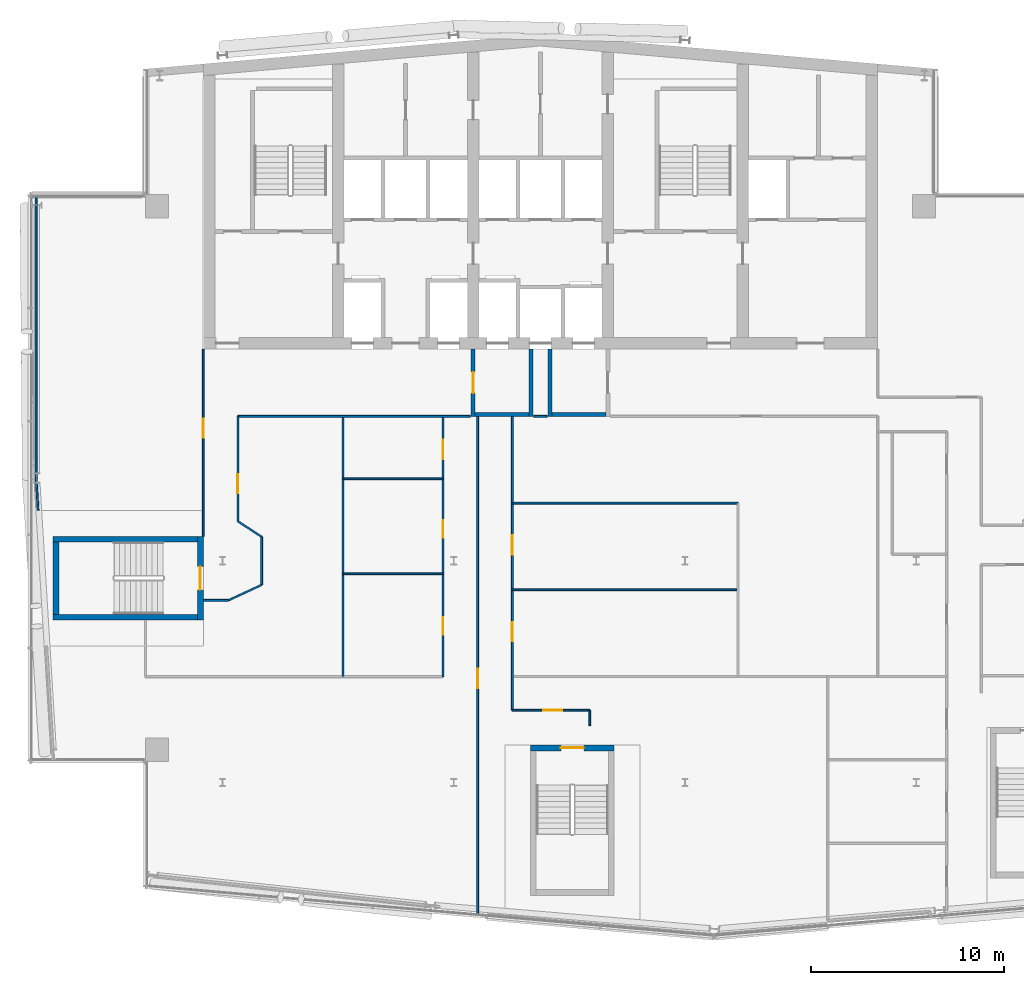
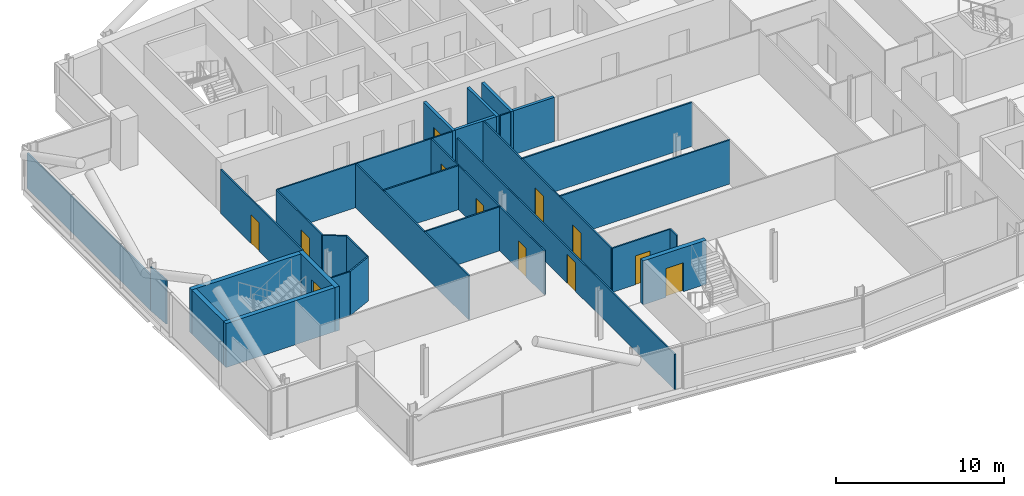
# One storey, part 15 of 25: 30 walls, 12 doors, 12 openings.
"""IFC4 building model written with IfcOpenShell, lengths in metres."""

from ifc_helpers import new_model, si_unit, direction, frame, frame_2d, origin, place, context, subcontext, project, spatial, rectangle, extrude, material, layer, layer_set, type_object, element, fill, save


model = new_model("IFC4")

# Units and contexts
model_context = context("Model", 3, precision=1e-05, world=origin(), true_north=direction((0.0, 1.0)))
body_context = subcontext(model_context, "Body", "Model", "MODEL_VIEW")
ifc_project = project(units=[si_unit("LENGTHUNIT", "METRE"), si_unit("AREAUNIT", "SQUARE_METRE"), si_unit("VOLUMEUNIT", "CUBIC_METRE"), si_unit("PLANEANGLEUNIT", "RADIAN"), si_unit("MASSUNIT", "GRAM", prefix="KILO")], contexts=[model_context])

# Site, building, storey
site_placement = place(None, origin())
site = spatial("IfcSite", under=ifc_project, at=site_placement, CompositionType="ELEMENT")
building_placement = place(site_placement, origin())
building = spatial("IfcBuilding", under=site, at=building_placement, Name="Wharfspan Tower", CompositionType="ELEMENT")
storey_placement = place(building_placement, frame((0.0, 0.0, 225.100098)))
storey = spatial("IfcBuildingStorey", under=building, at=storey_placement, Name="L56", CompositionType="ELEMENT", Elevation=225.100098)

# Wall, opening, door
ifc_material_1 = material(Name="Gypsum board on steel studs", Category="steel")
ifc_layer_1 = layer(ifc_material_1, 0.100098)
ifc_layer_set_1 = layer_set([ifc_layer_1], Name="Gypsum board on steel studs")
wall_type_1 = type_object("IfcWallType", Name="Compartment wall 100 EI 60", PredefinedType="PARTITIONING", material=ifc_layer_set_1)
wall_1_placement = place(storey_placement, frame((23.0, 24.274902, 0.0), z_axis=(0.0, 0.0, 1.0), x_axis=(0.0, 1.0, 0.0)))
wall_1 = element("IfcWall", 1, at=wall_1_placement, inside=storey, type_object=wall_type_1, Name="Partition L56.w007", PredefinedType="PARTITIONING", context=body_context, shape_type="SweptSolid", body=[
    extrude(rectangle(XDim=9.705078, YDim=0.100098, at=frame_2d((4.852539, 0.0))), origin(), (0.0, 0.0, 1.0), 3.199951),
])
opening_1_placement = place(wall_1_placement, frame((5.10498, 0.0, 0.0)))
opening_1 = element("IfcOpeningElement", 2, at=opening_1_placement, cuts=wall_1, Name="Opening D3-15", PredefinedType="OPENING", context=body_context, shape_type="SweptSolid", body=[
    extrude(rectangle(XDim=1.0, YDim=2.100098, at=frame_2d((0.5, 1.050049))), frame((0.0, 0.060059, 0.0), z_axis=(0.0, -1.0, 0.0), x_axis=(1.0, 0.0, 0.0)), (0.0, 0.0, 1.0), 0.120117),
])
ifc_material_2 = material(Name="Fire-rated timber door leaf in steel frame", Category="steel")
door_type_1 = type_object("IfcDoorType", Name="Door 1000 FD30S Right", OperationType="SINGLE_SWING_RIGHT", PredefinedType="DOOR", material=ifc_material_2)
door_1_placement = place(opening_1_placement, origin())
door_1 = element("IfcDoor", 3, at=door_1_placement, inside=storey, type_object=door_type_1, Name="Door D3-15", OperationType="SINGLE_SWING_RIGHT", OverallHeight=2.100098, OverallWidth=1.0, PredefinedType="DOOR", context=body_context, shape_type="SweptSolid", body=[
    extrude(rectangle(XDim=1.0, YDim=2.100098, at=frame_2d((0.5, 1.050049))), frame((0.0, 0.024902, 0.0), z_axis=(0.0, -1.0, 0.0), x_axis=(1.0, 0.0, 0.0)), (0.0, 0.0, 1.0), 0.050049),
])
fill(opening_1, door_1)

# Walls
wall_2_placement = place(storey_placement, frame((23.02002, 20.949951, 0.0), z_axis=(0.0, 0.0, 1.0), x_axis=(1.0, 0.0, 0.0)))
element("IfcWall", 4, at=wall_2_placement, inside=storey, type_object=wall_type_1, Name="Partition L56.w008", PredefinedType="PARTITIONING", context=body_context, shape_type="SweptSolid", body=[
    extrude(rectangle(XDim=1.280029, YDim=0.100098, at=frame_2d((0.640137, 0.0))), origin(), (0.0, 0.0, 1.0), 3.199951),
])
wall_3_placement = place(storey_placement, frame((24.300049, 20.949951, 0.0), z_axis=(0.0, 0.0, 1.0), x_axis=(0.907168, 0.420777, 0.0)))
element("IfcWall", 5, at=wall_3_placement, inside=storey, type_object=wall_type_1, Name="Partition L56.w009", PredefinedType="PARTITIONING", context=body_context, shape_type="SweptSolid", body=[
    extrude(rectangle(XDim=1.901367, YDim=0.100098, at=frame_2d((0.950684, 0.0))), origin(), (0.0, 0.0, 1.0), 3.199951),
])

# Wall, opening, door
wall_4_placement = place(storey_placement, frame((24.800049, 25.050049, 0.0), z_axis=(0.0, 0.0, 1.0), x_axis=(0.0, 1.0, 0.0)))
wall_4 = element("IfcWall", 6, at=wall_4_placement, inside=storey, type_object=wall_type_1, Name="Partition L56.w010", PredefinedType="PARTITIONING", context=body_context, shape_type="SweptSolid", body=[
    extrude(rectangle(XDim=5.449951, YDim=0.100098, at=frame_2d((2.725098, 0.0))), origin(), (0.0, 0.0, 1.0), 3.199951),
])
opening_2_placement = place(wall_4_placement, frame((1.455322, 0.0, 0.0)))
opening_2 = element("IfcOpeningElement", 7, at=opening_2_placement, cuts=wall_4, Name="Opening D3-12", PredefinedType="OPENING", context=body_context, shape_type="SweptSolid", body=[
    extrude(rectangle(XDim=1.0, YDim=2.100098, at=frame_2d((0.5, 1.050049))), frame((0.0, 0.060059, 0.0), z_axis=(0.0, -1.0, 0.0), x_axis=(1.0, 0.0, 0.0)), (0.0, 0.0, 1.0), 0.120117),
])
door_type_2 = type_object("IfcDoorType", Name="Door 1000 FD30S Left", OperationType="SINGLE_SWING_LEFT", PredefinedType="DOOR", material=ifc_material_2)
door_2_placement = place(opening_2_placement, origin())
door_2 = element("IfcDoor", 8, at=door_2_placement, inside=storey, type_object=door_type_2, Name="Door D3-12", OperationType="SINGLE_SWING_LEFT", OverallHeight=2.100098, OverallWidth=1.0, PredefinedType="DOOR", context=body_context, shape_type="SweptSolid", body=[
    extrude(rectangle(XDim=1.0, YDim=2.100098, at=frame_2d((0.5, 1.050049))), frame((0.0, 0.024902, 0.0), z_axis=(0.0, -1.0, 0.0), x_axis=(1.0, 0.0, 0.0)), (0.0, 0.0, 1.0), 0.050049),
])
fill(opening_2, door_2)

# Walls
wall_5_placement = place(storey_placement, frame((24.800049, 30.5, 0.0), z_axis=(0.0, 0.0, 1.0), x_axis=(1.0, 0.0, 0.0)))
element("IfcWall", 9, at=wall_5_placement, inside=storey, type_object=wall_type_1, Name="Partition L56.w011", PredefinedType="PARTITIONING", context=body_context, shape_type="SweptSolid", body=[
    extrude(rectangle(XDim=12.050049, YDim=0.100098, at=frame_2d((6.024902, 0.0))), origin(), (0.0, 0.0, 1.0), 3.199951),
])
wall_6_placement = place(storey_placement, frame((26.024902, 21.75, 0.0), z_axis=(0.0, 0.0, 1.0), x_axis=(0.0, 1.0, 0.0)))
element("IfcWall", 10, at=wall_6_placement, inside=storey, type_object=wall_type_1, Name="Partition L56.w012", PredefinedType="PARTITIONING", context=body_context, shape_type="SweptSolid", body=[
    extrude(rectangle(XDim=2.5, YDim=0.100098, at=frame_2d((1.25, 0.0))), origin(), (0.0, 0.0, 1.0), 3.199951),
])
wall_7_placement = place(storey_placement, frame((26.024902, 24.25, 0.0), z_axis=(0.0, 0.0, 1.0), x_axis=(-0.837222, 0.546856, 0.0)))
element("IfcWall", 11, at=wall_7_placement, inside=storey, type_object=wall_type_1, Name="Partition L56.w013", PredefinedType="PARTITIONING", context=body_context, shape_type="SweptSolid", body=[
    extrude(rectangle(XDim=1.462891, YDim=0.100098, at=frame_2d((0.731445, 0.0))), origin(), (0.0, 0.0, 1.0), 3.199951),
])
wall_8_placement = place(storey_placement, frame((30.25, 17.0, 0.0), z_axis=(0.0, 0.0, 1.0), x_axis=(0.0, 1.0, 0.0)))
element("IfcWall", 12, at=wall_8_placement, inside=storey, type_object=wall_type_1, Name="Partition L56.w014", PredefinedType="PARTITIONING", context=body_context, shape_type="SweptSolid", body=[
    extrude(rectangle(XDim=13.5, YDim=0.100098, at=frame_2d((6.75, 0.0))), origin(), (0.0, 0.0, 1.0), 3.199951),
])

# Wall, openings, doors
wall_9_placement = place(storey_placement, frame((35.439941, 16.995117, 0.0), z_axis=(0.0, 0.0, 1.0), x_axis=(0.0, 1.0, 0.0)))
wall_9 = element("IfcWall", 13, at=wall_9_placement, inside=storey, type_object=wall_type_1, Name="Partition L56.w018", PredefinedType="PARTITIONING", context=body_context, shape_type="SweptSolid", body=[
    extrude(rectangle(XDim=13.494873, YDim=0.100098, at=frame_2d((6.747559, 0.0))), origin(), (0.0, 0.0, 1.0), 3.199951),
])
opening_3_placement = place(wall_9_placement, frame((2.166016, 0.0, 0.0)))
opening_3 = element("IfcOpeningElement", 14, at=opening_3_placement, cuts=wall_9, Name="Opening D3-07", PredefinedType="OPENING", context=body_context, shape_type="SweptSolid", body=[
    extrude(rectangle(XDim=0.899902, YDim=2.100098, at=frame_2d((0.449951, 1.050049))), frame((0.0, 0.060059, 0.0), z_axis=(0.0, -1.0, 0.0), x_axis=(1.0, 0.0, 0.0)), (0.0, 0.0, 1.0), 0.120117),
])
opening_4_placement = place(wall_9_placement, frame((7.215088, 0.0, 0.0)))
opening_4 = element("IfcOpeningElement", 15, at=opening_4_placement, cuts=wall_9, Name="Opening D3-11", PredefinedType="OPENING", context=body_context, shape_type="SweptSolid", body=[
    extrude(rectangle(XDim=0.899902, YDim=2.100098, at=frame_2d((0.449951, 1.050049))), frame((0.0, 0.060059, 0.0), z_axis=(0.0, -1.0, 0.0), x_axis=(1.0, 0.0, 0.0)), (0.0, 0.0, 1.0), 0.120117),
])
opening_5_placement = place(wall_9_placement, frame((11.2854, 0.0, 0.0)))
opening_5 = element("IfcOpeningElement", 16, at=opening_5_placement, cuts=wall_9, Name="Opening D3-14", PredefinedType="OPENING", context=body_context, shape_type="SweptSolid", body=[
    extrude(rectangle(XDim=1.0, YDim=2.100098, at=frame_2d((0.5, 1.050049))), frame((0.0, 0.060059, 0.0), z_axis=(0.0, -1.0, 0.0), x_axis=(1.0, 0.0, 0.0)), (0.0, 0.0, 1.0), 0.120117),
])
ifc_material_3 = material(Name="Timber door leaf in steel frame", Category="steel")
door_type_3 = type_object("IfcDoorType", Name="Door 1000 NOT RATED Right", OperationType="SINGLE_SWING_RIGHT", PredefinedType="DOOR", material=ifc_material_3)
door_3_placement = place(opening_5_placement, origin())
door_3 = element("IfcDoor", 17, at=door_3_placement, inside=storey, type_object=door_type_3, Name="Door D3-14", OperationType="SINGLE_SWING_RIGHT", OverallHeight=2.100098, OverallWidth=1.0, PredefinedType="DOOR", context=body_context, shape_type="SweptSolid", body=[
    extrude(rectangle(XDim=1.0, YDim=2.100098, at=frame_2d((0.5, 1.050049))), frame((0.0, 0.024902, 0.0), z_axis=(0.0, -1.0, 0.0), x_axis=(1.0, 0.0, 0.0)), (0.0, 0.0, 1.0), 0.050049),
])
fill(opening_5, door_3)
door_type_4 = type_object("IfcDoorType", Name="Door 900 NOT RATED Left", OperationType="SINGLE_SWING_LEFT", PredefinedType="DOOR", material=ifc_material_3)
door_4_placement = place(opening_3_placement, origin())
door_4 = element("IfcDoor", 18, at=door_4_placement, inside=storey, type_object=door_type_4, Name="Door D3-07", OperationType="SINGLE_SWING_LEFT", OverallHeight=2.100098, OverallWidth=0.899902, PredefinedType="DOOR", context=body_context, shape_type="SweptSolid", body=[
    extrude(rectangle(XDim=0.899902, YDim=2.100098, at=frame_2d((0.449951, 1.050049))), frame((0.0, 0.024902, 0.0), z_axis=(0.0, -1.0, 0.0), x_axis=(1.0, 0.0, 0.0)), (0.0, 0.0, 1.0), 0.050049),
])
fill(opening_3, door_4)
door_type_5 = type_object("IfcDoorType", Name="Door 900 NOT RATED Right", OperationType="SINGLE_SWING_RIGHT", PredefinedType="DOOR", material=ifc_material_3)
door_5_placement = place(opening_4_placement, origin())
door_5 = element("IfcDoor", 19, at=door_5_placement, inside=storey, type_object=door_type_5, Name="Door D3-11", OperationType="SINGLE_SWING_RIGHT", OverallHeight=2.100098, OverallWidth=0.899902, PredefinedType="DOOR", context=body_context, shape_type="SweptSolid", body=[
    extrude(rectangle(XDim=0.899902, YDim=2.100098, at=frame_2d((0.449951, 1.050049))), frame((0.0, 0.024902, 0.0), z_axis=(0.0, -1.0, 0.0), x_axis=(1.0, 0.0, 0.0)), (0.0, 0.0, 1.0), 0.050049),
])
fill(opening_4, door_5)

# Wall, opening, door
wall_10_placement = place(storey_placement, frame((37.23999, 4.586914, 0.0), z_axis=(0.0, 0.0, 1.0), x_axis=(0.0, 1.0, 0.0)))
wall_10 = element("IfcWall", 20, at=wall_10_placement, inside=storey, type_object=wall_type_1, Name="Partition L56.w019", PredefinedType="PARTITIONING", context=body_context, shape_type="SweptSolid", body=[
    extrude(rectangle(XDim=25.903076, YDim=0.100098, at=frame_2d((12.95166, 0.0))), origin(), (0.0, 0.0, 1.0), 2.579834),
])
opening_6_placement = place(wall_10_placement, frame((11.80249, 0.0, 0.0)))
opening_6 = element("IfcOpeningElement", 21, at=opening_6_placement, cuts=wall_10, Name="Opening D3-05", PredefinedType="OPENING", context=body_context, shape_type="SweptSolid", body=[
    extrude(rectangle(XDim=1.0, YDim=2.100098, at=frame_2d((0.5, 1.050049))), frame((0.0, 0.060059, 0.0), z_axis=(0.0, -1.0, 0.0), x_axis=(1.0, 0.0, 0.0)), (0.0, 0.0, 1.0), 0.120117),
])
door_6_placement = place(opening_6_placement, origin())
door_6 = element("IfcDoor", 22, at=door_6_placement, inside=storey, type_object=door_type_2, Name="Door D3-05", OperationType="SINGLE_SWING_LEFT", OverallHeight=2.100098, OverallWidth=1.0, PredefinedType="DOOR", context=body_context, shape_type="SweptSolid", body=[
    extrude(rectangle(XDim=1.0, YDim=2.100098, at=frame_2d((0.5, 1.050049))), frame((0.0, 0.024902, 0.0), z_axis=(0.0, -1.0, 0.0), x_axis=(1.0, 0.0, 0.0)), (0.0, 0.0, 1.0), 0.050049),
])
fill(opening_6, door_6)

# Wall, openings, doors
wall_11_placement = place(storey_placement, frame((39.040039, 15.245117, 0.0), z_axis=(0.0, 0.0, 1.0), x_axis=(0.0, 1.0, 0.0)))
wall_11 = element("IfcWall", 23, at=wall_11_placement, inside=storey, type_object=wall_type_1, Name="Partition L56.w020", PredefinedType="PARTITIONING", context=body_context, shape_type="SweptSolid", body=[
    extrude(rectangle(XDim=15.254883, YDim=0.100098, at=frame_2d((7.627441, 0.0))), origin(), (0.0, 0.0, 1.0), 3.199951),
])
opening_7_placement = place(wall_11_placement, frame((3.574951, 0.0, 0.0)))
opening_7 = element("IfcOpeningElement", 24, at=opening_7_placement, cuts=wall_11, Name="Opening D3-06", PredefinedType="OPENING", context=body_context, shape_type="SweptSolid", body=[
    extrude(rectangle(XDim=1.0, YDim=2.100098, at=frame_2d((0.5, 1.050049))), frame((0.0, 0.060059, 0.0), z_axis=(0.0, -1.0, 0.0), x_axis=(1.0, 0.0, 0.0)), (0.0, 0.0, 1.0), 0.120117),
])
opening_8_placement = place(wall_11_placement, frame((8.074951, 0.0, 0.0)))
opening_8 = element("IfcOpeningElement", 25, at=opening_8_placement, cuts=wall_11, Name="Opening D3-10", PredefinedType="OPENING", context=body_context, shape_type="SweptSolid", body=[
    extrude(rectangle(XDim=1.0, YDim=2.100098, at=frame_2d((0.5, 1.050049))), frame((0.0, 0.060059, 0.0), z_axis=(0.0, -1.0, 0.0), x_axis=(1.0, 0.0, 0.0)), (0.0, 0.0, 1.0), 0.120117),
])
door_7_placement = place(opening_7_placement, origin())
door_7 = element("IfcDoor", 26, at=door_7_placement, inside=storey, type_object=door_type_2, Name="Door D3-06", OperationType="SINGLE_SWING_LEFT", OverallHeight=2.100098, OverallWidth=1.0, PredefinedType="DOOR", context=body_context, shape_type="SweptSolid", body=[
    extrude(rectangle(XDim=1.0, YDim=2.100098, at=frame_2d((0.5, 1.050049))), frame((0.0, 0.024902, 0.0), z_axis=(0.0, -1.0, 0.0), x_axis=(1.0, 0.0, 0.0)), (0.0, 0.0, 1.0), 0.050049),
])
fill(opening_7, door_7)
door_8_placement = place(opening_8_placement, origin())
door_8 = element("IfcDoor", 27, at=door_8_placement, inside=storey, type_object=door_type_1, Name="Door D3-10", OperationType="SINGLE_SWING_RIGHT", OverallHeight=2.100098, OverallWidth=1.0, PredefinedType="DOOR", context=body_context, shape_type="SweptSolid", body=[
    extrude(rectangle(XDim=1.0, YDim=2.100098, at=frame_2d((0.5, 1.050049))), frame((0.0, 0.024902, 0.0), z_axis=(0.0, -1.0, 0.0), x_axis=(1.0, 0.0, 0.0)), (0.0, 0.0, 1.0), 0.050049),
])
fill(opening_8, door_8)

# Wall, opening, door
wall_12_placement = place(storey_placement, frame((39.040039, 15.245117, 0.0), z_axis=(0.0, 0.0, 1.0), x_axis=(1.0, 0.0, 0.0)))
wall_12 = element("IfcWall", 28, at=wall_12_placement, inside=storey, type_object=wall_type_1, Name="Partition L56.w021", PredefinedType="PARTITIONING", context=body_context, shape_type="SweptSolid", body=[
    extrude(rectangle(XDim=4.01001, YDim=0.100098, at=frame_2d((2.004883, 0.0))), origin(), (0.0, 0.0, 1.0), 3.199951),
])
opening_9_placement = place(wall_12_placement, frame((1.594971, 0.0, 0.0)))
opening_9 = element("IfcOpeningElement", 29, at=opening_9_placement, cuts=wall_12, Name="Opening D3-04", PredefinedType="OPENING", context=body_context, shape_type="SweptSolid", body=[
    extrude(rectangle(XDim=1.0, YDim=2.100098, at=frame_2d((0.5, 1.050049))), frame((0.0, 0.060059, 0.0), z_axis=(0.0, -1.0, 0.0), x_axis=(1.0, 0.0, 0.0)), (0.0, 0.0, 1.0), 0.120117),
])
door_9_placement = place(opening_9_placement, origin())
door_9 = element("IfcDoor", 30, at=door_9_placement, inside=storey, type_object=door_type_1, Name="Door D3-04", OperationType="SINGLE_SWING_RIGHT", OverallHeight=2.100098, OverallWidth=1.0, PredefinedType="DOOR", context=body_context, shape_type="SweptSolid", body=[
    extrude(rectangle(XDim=1.0, YDim=2.100098, at=frame_2d((0.5, 1.050049))), frame((0.0, 0.024902, 0.0), z_axis=(0.0, -1.0, 0.0), x_axis=(1.0, 0.0, 0.0)), (0.0, 0.0, 1.0), 0.050049),
])
fill(opening_9, door_9)

# Walls
for number, where, z_axis, x_axis, name in (
    (31, (39.040039, 21.5, 0.0), (0.0, 0.0, 1.0), (1.0, 0.0, 0.0), "Partition L56.w023"),
    (32, (39.040039, 26.0, 0.0), (0.0, 0.0, 1.0), (1.0, 0.0, 0.0), "Partition L56.w024"),
):
    element("IfcWall", number, at=place(storey_placement, frame(where, z_axis=z_axis, x_axis=x_axis)), inside=storey, type_object=wall_type_1, Name=name, PredefinedType="PARTITIONING", context=body_context, shape_type="SweptSolid", body=[
        extrude(rectangle(XDim=11.709961, YDim=0.100098, at=frame_2d((5.85498, 0.0))), origin(), (0.0, 0.0, 1.0), 3.199951),
    ])
wall_13_placement = place(storey_placement, frame((40.149902, 30.5, 0.0), z_axis=(0.0, 0.0, 1.0), x_axis=(1.0, 0.0, 0.0)))
element("IfcWall", 33, at=wall_13_placement, inside=storey, type_object=wall_type_1, Name="Partition L56.w025", PredefinedType="PARTITIONING", context=body_context, shape_type="SweptSolid", body=[
    extrude(rectangle(XDim=0.700195, YDim=0.100098, at=frame_2d((0.350098, 0.0))), origin(), (0.0, 0.0, 1.0), 3.199951),
])
wall_14_placement = place(storey_placement, frame((43.054932, 14.443115, 0.0), z_axis=(0.0, 0.0, 1.0), x_axis=(0.0, 1.0, 0.0)))
element("IfcWall", 34, at=wall_14_placement, inside=storey, type_object=wall_type_1, Name="Partition L56.w026", PredefinedType="PARTITIONING", context=body_context, shape_type="SweptSolid", body=[
    extrude(rectangle(XDim=0.802002, YDim=0.100098, at=frame_2d((0.400879, 0.0))), origin(), (0.0, 0.0, 1.0), 3.199951),
])

# Wall, opening, door
ifc_material_4 = material(Name="Concrete C30/37", Category="concrete")
ifc_layer_2 = layer(ifc_material_4, 0.199951)
ifc_layer_set_2 = layer_set([ifc_layer_2], Name="Concrete C30/37")
wall_type_2 = type_object("IfcWallType", Name="Lobby wall 200", PredefinedType="PARTITIONING", material=ifc_layer_set_2)
wall_15_placement = place(storey_placement, frame((37.0, 30.5, 0.0), z_axis=(0.0, 0.0, 1.0), x_axis=(0.0, 1.0, 0.0)))
wall_15 = element("IfcWall", 35, at=wall_15_placement, inside=storey, type_object=wall_type_2, Name="sw:L56:FLFF1W", PredefinedType="PARTITIONING", context=body_context, shape_type="SweptSolid", body=[
    extrude(rectangle(XDim=3.5, YDim=0.199951, at=frame_2d((1.75, 0.0))), origin(), (0.0, 0.0, 1.0), 3.199951),
])
opening_10_placement = place(wall_15_placement, frame((1.199951, 0.0, 0.0)))
opening_10 = element("IfcOpeningElement", 36, at=opening_10_placement, cuts=wall_15, Name="Opening FL.FF1.L56", PredefinedType="OPENING", context=body_context, shape_type="SweptSolid", body=[
    extrude(rectangle(XDim=1.100098, YDim=2.100098, at=frame_2d((0.550049, 1.050049))), frame((0.0, 0.109863, 0.0), z_axis=(0.0, -1.0, 0.0), x_axis=(1.0, 0.0, 0.0)), (0.0, 0.0, 1.0), 0.219971),
])
ifc_material_5 = material(Name="Steel door leaf", Category="steel")
door_type_6 = type_object("IfcDoorType", Name="Firefighting lobby door 1100x2100", OperationType="SINGLE_SWING_LEFT", PredefinedType="DOOR", material=ifc_material_5)
door_10_placement = place(opening_10_placement, origin())
door_10 = element("IfcDoor", 37, at=door_10_placement, inside=storey, type_object=door_type_6, Name="fd:L56:FF1", OperationType="SINGLE_SWING_LEFT", OverallHeight=2.100098, OverallWidth=1.100098, PredefinedType="DOOR", context=body_context, shape_type="SweptSolid", body=[
    extrude(rectangle(XDim=1.100098, YDim=2.100098, at=frame_2d((0.550049, 1.050049))), frame((0.0, 0.024902, 0.0), z_axis=(0.0, -1.0, 0.0), x_axis=(1.0, 0.0, 0.0)), (0.0, 0.0, 1.0), 0.050049),
])
fill(opening_10, door_10)

# Walls
wall_16_placement = place(storey_placement, frame((40.0, 30.5, 0.0), z_axis=(0.0, 0.0, 1.0), x_axis=(0.0, 1.0, 0.0)))
element("IfcWall", 38, at=wall_16_placement, inside=storey, type_object=wall_type_2, Name="sw:L56:FLFF1E", PredefinedType="PARTITIONING", context=body_context, shape_type="SweptSolid", body=[
    extrude(rectangle(XDim=3.5, YDim=0.199951, at=frame_2d((1.75, 0.0))), origin(), (0.0, 0.0, 1.0), 3.199951),
])
wall_17_placement = place(storey_placement, frame((37.100098, 30.600098, 0.0), z_axis=(0.0, 0.0, 1.0), x_axis=(1.0, 0.0, 0.0)))
element("IfcWall", 39, at=wall_17_placement, inside=storey, type_object=wall_type_2, Name="sw:L56:FLFF1F", PredefinedType="PARTITIONING", context=body_context, shape_type="SweptSolid", body=[
    extrude(rectangle(XDim=2.799805, YDim=0.199951, at=frame_2d((1.399902, 0.0))), origin(), (0.0, 0.0, 1.0), 3.199951),
])
wall_18_placement = place(storey_placement, frame((41.0, 30.5, 0.0), z_axis=(0.0, 0.0, 1.0), x_axis=(0.0, 1.0, 0.0)))
element("IfcWall", 40, at=wall_18_placement, inside=storey, type_object=wall_type_2, Name="sw:L56:FLFF2W", PredefinedType="PARTITIONING", context=body_context, shape_type="SweptSolid", body=[
    extrude(rectangle(XDim=3.5, YDim=0.199951, at=frame_2d((1.75, 0.0))), origin(), (0.0, 0.0, 1.0), 3.199951),
])
wall_19_placement = place(storey_placement, frame((41.100098, 30.600098, 0.0), z_axis=(0.0, 0.0, 1.0), x_axis=(1.0, 0.0, 0.0)))
element("IfcWall", 41, at=wall_19_placement, inside=storey, type_object=wall_type_2, Name="sw:L56:FLFF2F", PredefinedType="PARTITIONING", context=body_context, shape_type="SweptSolid", body=[
    extrude(rectangle(XDim=2.799805, YDim=0.199951, at=frame_2d((1.399902, 0.0))), origin(), (0.0, 0.0, 1.0), 3.199951),
])
ifc_layer_3 = layer(ifc_material_1, 0.100098)
ifc_layer_set_3 = layer_set([ifc_layer_3], Name="Gypsum board on steel studs")
wall_type_3 = type_object("IfcWallType", Name="Partition 100", PredefinedType="PARTITIONING", material=ifc_layer_set_3)
wall_20_placement = place(storey_placement, frame((14.324951, 27.300049, 0.0), z_axis=(0.0, 0.0, 1.0), x_axis=(0.0, 1.0, 0.0)))
element("IfcWall", 42, at=wall_20_placement, inside=storey, type_object=wall_type_3, Name="Partition L56.w001", PredefinedType="PARTITIONING", context=body_context, shape_type="SweptSolid", body=[
    extrude(rectangle(XDim=14.679932, YDim=0.100098, at=frame_2d((7.339844, 0.0))), origin(), (0.0, 0.0, 1.0), 2.579834),
])
wall_21_placement = place(storey_placement, frame((14.428711, 25.620117, 0.0), z_axis=(0.0, 0.0, 1.0), x_axis=(-0.061647, 0.998101, 0.0)))
element("IfcWall", 43, at=wall_21_placement, inside=storey, type_object=wall_type_3, Name="Partition L56.w002", PredefinedType="PARTITIONING", context=body_context, shape_type="SweptSolid", body=[
    extrude(rectangle(XDim=1.683105, YDim=0.100098, at=frame_2d((0.841553, 0.0))), origin(), (0.0, 0.0, 1.0), 3.199951),
])
for number, where, z_axis, x_axis, name in (
    (44, (30.25, 22.330078, 0.0), (0.0, 0.0, 1.0), (1.0, 0.0, 0.0), "Partition L56.w015"),
    (45, (30.25, 27.26001, 0.0), (0.0, 0.0, 1.0), (1.0, 0.0, 0.0), "Partition L56.w016"),
):
    element("IfcWall", number, at=place(storey_placement, frame(where, z_axis=z_axis, x_axis=x_axis)), inside=storey, type_object=wall_type_3, Name=name, PredefinedType="PARTITIONING", context=body_context, shape_type="SweptSolid", body=[
        extrude(rectangle(XDim=5.189941, YDim=0.100098, at=frame_2d((2.594971, 0.0))), origin(), (0.0, 0.0, 1.0), 3.199951),
    ])

# Wall, opening, door
ifc_material_6 = material(Name="Concrete C40/50", Category="concrete")
ifc_layer_4 = layer(ifc_material_6, 0.300049)
ifc_layer_set_4 = layer_set([ifc_layer_4], Name="Concrete C40/50")
wall_type_4 = type_object("IfcWallType", Name="Stair core wall 300", PredefinedType="SHEAR", material=ifc_layer_set_4)
wall_22_placement = place(storey_placement, frame((22.850098, 19.925049, 0.0), z_axis=(0.0, 0.0, 1.0), x_axis=(0.0, 1.0, 0.0)))
wall_22 = element("IfcWall", 46, at=wall_22_placement, inside=storey, type_object=wall_type_4, Name="ST3 stair enclosure wall L56", PredefinedType="SHEAR", context=body_context, shape_type="SweptSolid", body=[
    extrude(rectangle(XDim=4.349854, YDim=0.300049, at=frame_2d((2.174805, 0.0))), origin(), (0.0, 0.0, 1.0), 3.199951),
])
opening_11_placement = place(wall_22_placement, frame((1.574951, 0.0, 0.0)))
opening_11 = element("IfcOpeningElement", 47, at=opening_11_placement, cuts=wall_22, Name="Opening SD3.L56", PredefinedType="OPENING", context=body_context, shape_type="SweptSolid", body=[
    extrude(rectangle(XDim=1.199951, YDim=2.100098, at=frame_2d((0.600098, 1.050049))), frame((0.0, 0.159912, 0.0), z_axis=(0.0, -1.0, 0.0), x_axis=(1.0, 0.0, 0.0)), (0.0, 0.0, 1.0), 0.320068),
])
door_type_7 = type_object("IfcDoorType", Name="Stair door 1200x2100", OperationType="SINGLE_SWING_LEFT", PredefinedType="DOOR", material=ifc_material_5)
door_11_placement = place(opening_11_placement, origin())
door_11 = element("IfcDoor", 48, at=door_11_placement, inside=storey, type_object=door_type_7, Name="sd:L56:ST3z4", OperationType="SINGLE_SWING_RIGHT", OverallHeight=2.100098, OverallWidth=1.199951, PredefinedType="DOOR", context=body_context, shape_type="SweptSolid", body=[
    extrude(rectangle(XDim=1.199951, YDim=2.100098, at=frame_2d((0.600098, 1.050049))), frame((0.0, 0.024902, 0.0), z_axis=(0.0, -1.0, 0.0), x_axis=(1.0, 0.0, 0.0)), (0.0, 0.0, 1.0), 0.050049),
])
fill(opening_11, door_11)

wall_23_placement = place(storey_placement, frame((39.977051, 13.293213, 0.0), z_axis=(0.0, 0.0, 1.0), x_axis=(1.0, 0.0, 0.0)))
wall_23 = element("IfcWall", 49, at=wall_23_placement, inside=storey, type_object=wall_type_4, Name="ST4 stair enclosure wall L56", PredefinedType="SHEAR", context=body_context, shape_type="SweptSolid", body=[
    extrude(rectangle(XDim=4.350098, YDim=0.300049, at=frame_2d((2.175049, 0.0))), origin(), (0.0, 0.0, 1.0), 3.199951),
])
opening_12_placement = place(wall_23_placement, frame((1.574951, 0.0, 0.0)))
opening_12 = element("IfcOpeningElement", 50, at=opening_12_placement, cuts=wall_23, Name="Opening SD4.L56", PredefinedType="OPENING", context=body_context, shape_type="SweptSolid", body=[
    extrude(rectangle(XDim=1.199951, YDim=2.100098, at=frame_2d((0.600098, 1.050049))), frame((0.0, 0.159912, 0.0), z_axis=(0.0, -1.0, 0.0), x_axis=(1.0, 0.0, 0.0)), (0.0, 0.0, 1.0), 0.320068),
])
door_12_placement = place(opening_12_placement, origin())
door_12 = element("IfcDoor", 51, at=door_12_placement, inside=storey, type_object=door_type_7, Name="sd:L56:ST4z4", OperationType="SINGLE_SWING_RIGHT", OverallHeight=2.100098, OverallWidth=1.199951, PredefinedType="DOOR", context=body_context, shape_type="SweptSolid", body=[
    extrude(rectangle(XDim=1.199951, YDim=2.100098, at=frame_2d((0.600098, 1.050049))), frame((0.0, 0.024902, 0.0), z_axis=(0.0, -1.0, 0.0), x_axis=(1.0, 0.0, 0.0)), (0.0, 0.0, 1.0), 0.050049),
])
fill(opening_12, door_12)

# Walls
for number, where, z_axis, x_axis, name in (
    (52, (15.199951, 20.074951, 0.0), (0.0, 0.0, 1.0), (1.0, 0.0, 0.0), "ST3 stair enclosure wall L56"),
    (53, (15.199951, 24.125, 0.0), (0.0, 0.0, 1.0), (1.0, 0.0, 0.0), "ST3 stair enclosure wall L56"),
):
    element("IfcWall", number, at=place(storey_placement, frame(where, z_axis=z_axis, x_axis=x_axis)), inside=storey, type_object=wall_type_4, Name=name, PredefinedType="SHEAR", context=body_context, shape_type="SweptSolid", body=[
        extrude(rectangle(XDim=7.5, YDim=0.300049, at=frame_2d((3.75, 0.0))), origin(), (0.0, 0.0, 1.0), 3.199951),
    ])
wall_24_placement = place(storey_placement, frame((15.350098, 20.225098, 0.0), z_axis=(0.0, 0.0, 1.0), x_axis=(0.0, 1.0, 0.0)))
element("IfcWall", 54, at=wall_24_placement, inside=storey, type_object=wall_type_4, Name="ST3 stair enclosure wall L56", PredefinedType="SHEAR", context=body_context, shape_type="SweptSolid", body=[
    extrude(rectangle(XDim=3.75, YDim=0.300049, at=frame_2d((1.875, 0.0))), origin(), (0.0, 0.0, 1.0), 3.199951),
])

save(model, "model.ifc")
